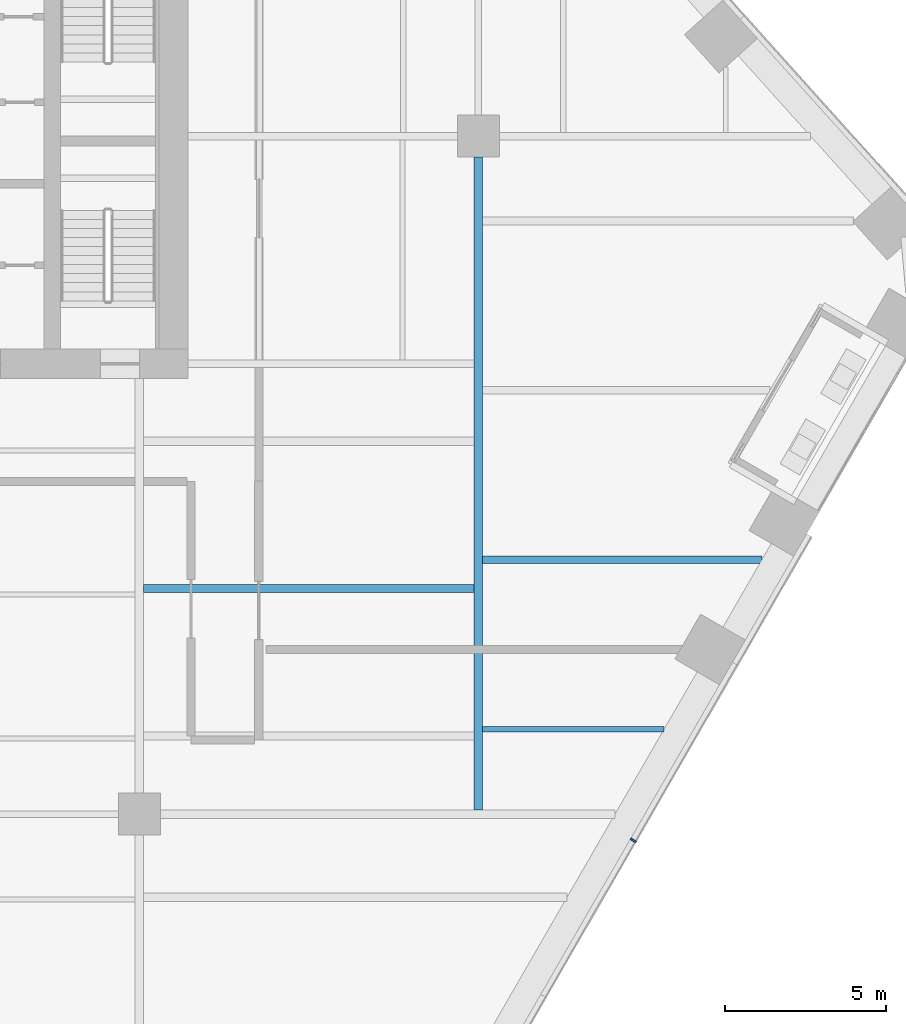
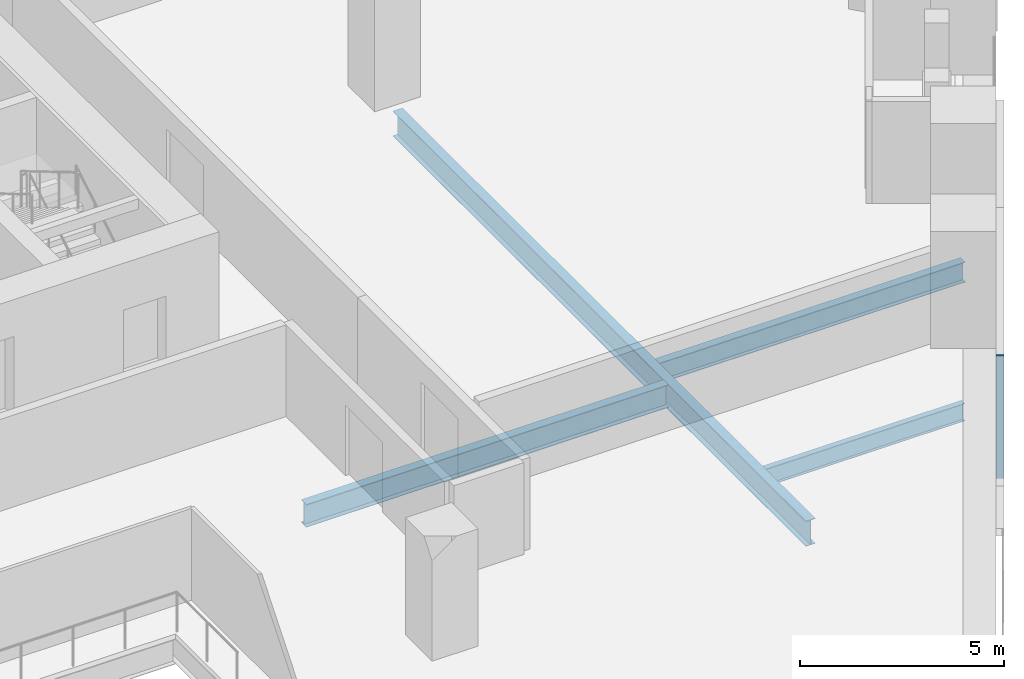
# One storey, part 9 of 28: 4 beams, 1 member, 1 element without a shape of its own.
"""IFC4 building model written with IfcOpenShell, lengths in metres."""

from ifc_helpers import new_model, si_unit, direction, frame, origin, origin_2d, place, context, subcontext, project, spatial, rectangle, i_section, extrude, material, layer, layer_set, material_profile, profile_set, type_object, element, aggregate, save


model = new_model("IFC4")

# Units and contexts
model_context = context("Model", 3, precision=1e-05, world=origin(), true_north=direction((0.0, 1.0)))
body_context = subcontext(model_context, "Body", "Model", "MODEL_VIEW")
ifc_project = project(units=[si_unit("LENGTHUNIT", "METRE"), si_unit("AREAUNIT", "SQUARE_METRE"), si_unit("VOLUMEUNIT", "CUBIC_METRE"), si_unit("PLANEANGLEUNIT", "RADIAN"), si_unit("MASSUNIT", "GRAM", prefix="KILO")], contexts=[model_context])

# Site, building, storey
site_placement = place(None, origin())
site = spatial("IfcSite", under=ifc_project, at=site_placement, CompositionType="ELEMENT")
building_placement = place(site_placement, origin())
building = spatial("IfcBuilding", under=site, at=building_placement, Name="Isthmus Gate Tower", CompositionType="ELEMENT")
storey_placement = place(building_placement, frame((0.0, 0.0, 98.89990234375)))
storey = spatial("IfcBuildingStorey", under=building, at=storey_placement, Name="L23", CompositionType="ELEMENT", Elevation=98.89990234375)

# Curtain wall, member
ifc_material_1 = material(Name="Aluminium, pale champagne anodised", Category="aluminium")
ifc_layer = layer(ifc_material_1, 0.199951171875)
ifc_layer_set = layer_set([ifc_layer], Name="CW-1 UNITISED CURTAIN WALL 200 DEEP")
curtain_wall_type = type_object("IfcCurtainWallType", Name="CW-1 UNITISED CURTAIN WALL 200 DEEP", PredefinedType="NOTDEFINED", material=ifc_layer_set)
curtain_wall_placement = place(storey_placement, origin())
curtain_wall = element("IfcCurtainWall", 1, at=curtain_wall_placement, inside=storey, type_object=curtain_wall_type, Name="CW-1 SE L23", PredefinedType="NOTDEFINED")
ifc_material_2 = material(Name="Aluminium, pale champagne anodised", Category="aluminium")
ifc_material_profile_1 = material_profile(ifc_material_2, rectangle(XDim=0.06005859375, YDim=0.199951171875, at=origin_2d()), Name="60x200")
ifc_profile_set_1 = profile_set([ifc_material_profile_1], Name="Aluminium, pale champagne anodised")
member_type = type_object("IfcMemberType", Name="CW-1 MULLION 60 X 200", PredefinedType="MULLION", material=ifc_profile_set_1)
member_placement = place(storey_placement, frame((28.802001953125, -14.3134765625, 0.0), z_axis=(0.0, 0.0, 1.0), x_axis=(0.5, 0.866025403784, 0.0)))
member = element("IfcMember", 2, at=member_placement, type_object=member_type, Name="CW-1 mullion", PredefinedType="MULLION", context=body_context, shape_type="SweptSolid", body=[
    extrude(rectangle(XDim=0.06005859375, YDim=0.199951171875, at=origin_2d()), origin(), (0.0, 0.0, 1.0), 3.650146484375),
])
aggregate(curtain_wall, [member])

# Beams
ifc_material_3 = material(Name="Structural steel ASTM A992 Gr 50", Category="steel")
ifc_material_profile_2 = material_profile(ifc_material_3, i_section(OverallWidth=0.1650390625, OverallDepth=0.52392578125, WebThickness=0.009521484375, FlangeThickness=0.010986328125, at=origin_2d()), Name="W21X44")
ifc_profile_set_2 = profile_set([ifc_material_profile_2], Name="Structural steel ASTM A992 Gr 50")
beam_type_1 = type_object("IfcBeamType", Name="STEEL FLOOR BEAM W21X44", PredefinedType="JOIST", material=ifc_profile_set_2)
beam_1_placement = place(storey_placement, frame((24.13330078125, -10.875, -0.411865234375), z_axis=(1.0, 0.0, 0.0), x_axis=(0.0, 1.0, 0.0)))
element("IfcBeam", 3, at=beam_1_placement, inside=storey, type_object=beam_type_1, Name="str-beam-L23-39-00", PredefinedType="JOIST", context=body_context, shape_type="SweptSolid", body=[
    extrude(i_section(OverallWidth=0.1650390625, OverallDepth=0.52392578125, WebThickness=0.009521484375, FlangeThickness=0.010986328125, at=origin_2d()), origin(), (0.0, 0.0, 1.0), 5.61474609375),
])
ifc_material_4 = material(Name="Structural steel ASTM A992 Gr 50", Category="steel")
ifc_material_profile_3 = material_profile(ifc_material_4, i_section(OverallWidth=0.228515625, OverallDepth=0.603271484375, WebThickness=0.010986328125, FlangeThickness=0.014404296875, at=origin_2d()), Name="W24X68")
ifc_profile_set_3 = profile_set([ifc_material_profile_3], Name="Structural steel ASTM A992 Gr 50")
beam_type_2 = type_object("IfcBeamType", Name="STEEL FLOOR BEAM W24X68", PredefinedType="JOIST", material=ifc_profile_set_3)
beam_2_placement = place(storey_placement, frame((24.13330078125, -5.625, -0.451416015625), z_axis=(1.0, 0.0, 0.0), x_axis=(0.0, 1.0, 0.0)))
element("IfcBeam", 4, at=beam_2_placement, inside=storey, type_object=beam_type_2, Name="str-beam-L23-39-01", PredefinedType="JOIST", context=body_context, shape_type="SweptSolid", body=[
    extrude(i_section(OverallWidth=0.228515625, OverallDepth=0.603271484375, WebThickness=0.010986328125, FlangeThickness=0.014404296875, at=origin_2d()), origin(), (0.0, 0.0, 1.0), 8.645751953125),
])
ifc_material_5 = material(Name="Structural steel ASTM A992 Gr 50", Category="steel")
ifc_material_profile_4 = material_profile(ifc_material_5, i_section(OverallWidth=0.25390625, OverallDepth=0.679443359375, WebThickness=0.010986328125, FlangeThickness=0.015869140625, at=origin_2d()), Name="W27X84")
ifc_profile_set_4 = profile_set([ifc_material_profile_4], Name="Structural steel ASTM A992 Gr 50")
beam_type_3 = type_object("IfcBeamType", Name="STEEL FLOOR BEAM W27X84", PredefinedType="JOIST", material=ifc_profile_set_4)
beam_3_placement = place(storey_placement, frame((13.6318359375, -6.515380859375, -0.489501953125), z_axis=(1.0, 0.0, 0.0), x_axis=(0.0, 1.0, 0.0)))
element("IfcBeam", 5, at=beam_3_placement, inside=storey, type_object=beam_type_3, Name="str-beam-L23-31-01", PredefinedType="JOIST", context=body_context, shape_type="SweptSolid", body=[
    extrude(i_section(OverallWidth=0.25390625, OverallDepth=0.679443359375, WebThickness=0.010986328125, FlangeThickness=0.015869140625, at=origin_2d()), origin(), (0.0, 0.0, 1.0), 10.23486328125),
])
ifc_material_6 = material(Name="Structural steel ASTM A992 Gr 50", Category="steel")
ifc_material_profile_5 = material_profile(ifc_material_6, i_section(OverallWidth=0.2666015625, OverallDepth=0.7587890625, WebThickness=0.014404296875, FlangeThickness=0.01904296875, at=origin_2d()), Name="W30X108")
ifc_profile_set_5 = profile_set([ifc_material_profile_5], Name="Structural steel ASTM A992 Gr 50")
beam_type_4 = type_object("IfcBeamType", Name="STEEL GIRDER W30X108", PredefinedType="BEAM", material=ifc_profile_set_5)
beam_4_placement = place(storey_placement, frame((24.0, -13.36669921875, -0.529296875), z_axis=(0.0, 1.0, 0.0), x_axis=(-1.0, 0.0, 0.0)))
element("IfcBeam", 6, at=beam_4_placement, inside=storey, type_object=beam_type_4, Name="str-girder-L23-36", PredefinedType="BEAM", context=body_context, shape_type="SweptSolid", body=[
    extrude(i_section(OverallWidth=0.2666015625, OverallDepth=0.7587890625, WebThickness=0.014404296875, FlangeThickness=0.01904296875, at=origin_2d()), origin(), (0.0, 0.0, 1.0), 20.216796875),
])

save(model, "model.ifc")
